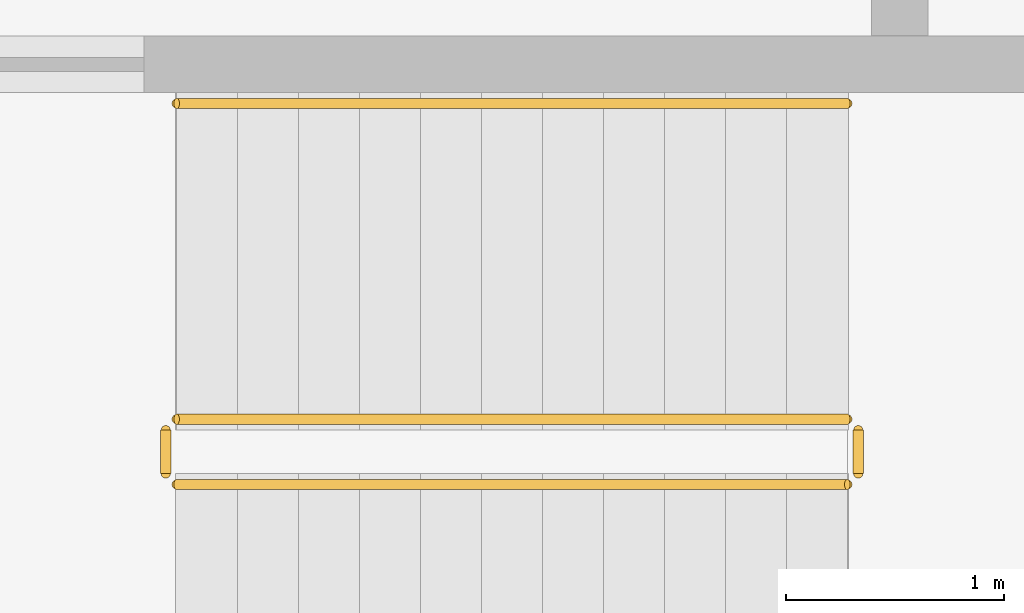
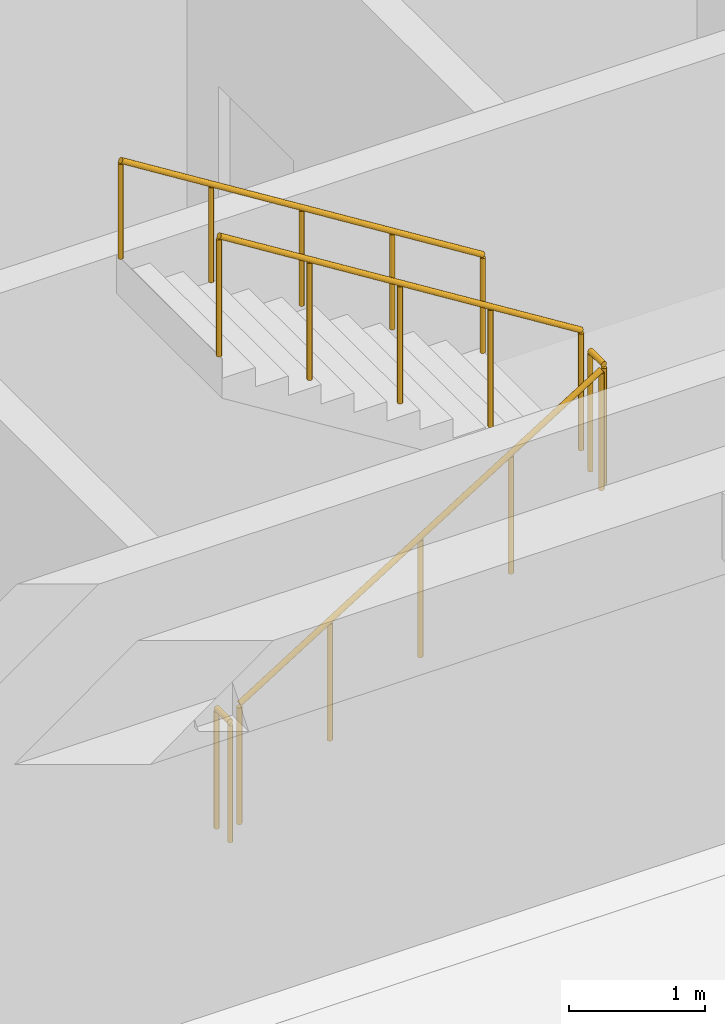
# One storey, part 35 of 41: 5 railings.
"""IFC4 building model written with IfcOpenShell, lengths in metres."""

from ifc_helpers import new_model, si_unit, direction, frame, origin, origin_2d, place, context, subcontext, project, spatial, circle, extrude, material, type_object, element, save


model = new_model("IFC4")

# Units and contexts
model_context = context("Model", 3, precision=1e-05, world=origin(), true_north=direction((0.0, 1.0)))
body_context = subcontext(model_context, "Body", "Model", "MODEL_VIEW")
ifc_project = project(units=[si_unit("LENGTHUNIT", "METRE"), si_unit("AREAUNIT", "SQUARE_METRE"), si_unit("VOLUMEUNIT", "CUBIC_METRE"), si_unit("PLANEANGLEUNIT", "RADIAN"), si_unit("MASSUNIT", "GRAM", prefix="KILO")], contexts=[model_context])

# Site, building, storey
site_placement = place(None, origin())
site = spatial("IfcSite", under=ifc_project, at=site_placement, CompositionType="ELEMENT")
building_placement = place(site_placement, origin())
building = spatial("IfcBuilding", under=site, at=building_placement, Name="Fikremerkos Civic Library", CompositionType="ELEMENT")
storey_placement = place(building_placement, frame((0.0, 0.0, -8.39990234375)))
storey = spatial("IfcBuildingStorey", under=building, at=storey_placement, Name="B02", CompositionType="ELEMENT", Elevation=-8.39990234375)

# Railings
ifc_material_1 = material(Name="Painted Steel S275", Category="steel")
railing_type_1 = type_object("IfcRailingType", Name="Interior balustrade guard RLG-INT 1100", PredefinedType="BALUSTRADE", material=ifc_material_1)
railing_1_placement = place(storey_placement, frame((106.449951171875, 24.0, 0.1748046875)))
element("IfcRailing", 1, at=railing_1_placement, inside=storey, type_object=railing_type_1, Name="B02 ST-K2 stair guard 1", PredefinedType="BALUSTRADE", context=body_context, shape_type="SweptSolid", body=[
    extrude(circle(Radius=0.02392578125, at=origin_2d()), frame((0.0, 0.0, 1.076171875), z_axis=(0.847998304005, 0.0, 0.529998940003), x_axis=(0.0, 1.0, 0.0)), (0.0, 0.0, 1.0), 3.632080078125),
    extrude(circle(Radius=0.02099609375, at=origin_2d()), origin(), (0.0, 0.0, 1.0), 1.052001953125),
    extrude(circle(Radius=0.02099609375, at=origin_2d()), frame((0.77001953125, 0.0, 0.481201171875)), (0.0, 0.0, 1.0), 1.052001953125),
    extrude(circle(Radius=0.02099609375, at=origin_2d()), frame((1.5400390625, 0.0, 0.96240234375)), (0.0, 0.0, 1.0), 1.052001953125),
    extrude(circle(Radius=0.02099609375, at=origin_2d()), frame((2.31005859375, 0.0, 1.44384765625)), (0.0, 0.0, 1.0), 1.052001953125),
    extrude(circle(Radius=0.02099609375, at=origin_2d()), frame((3.080078125, 0.0, 1.925048828125)), (0.0, 0.0, 1.0), 1.052001953125),
])
railing_2_placement = place(storey_placement, frame((109.580078125, 24.050048828125, 2.099853515625)))
element("IfcRailing", 2, at=railing_2_placement, inside=storey, type_object=railing_type_1, Name="B02 ST-K2 stair guard 2", PredefinedType="BALUSTRADE", context=body_context, shape_type="SweptSolid", body=[
    extrude(circle(Radius=0.02392578125, at=origin_2d()), frame((0.0, 0.0, 1.076171875), z_axis=(0.0, 1.0, 0.0), x_axis=(-1.0, 0.0, 0.0)), (0.0, 0.0, 1.0), 0.199951171875),
    extrude(circle(Radius=0.02099609375, at=origin_2d()), origin(), (0.0, 0.0, 1.0), 1.052001953125),
    extrude(circle(Radius=0.02099609375, at=origin_2d()), frame((0.0, 0.199951171875, 0.0)), (0.0, 0.0, 1.0), 1.052001953125),
])
railing_3_placement = place(storey_placement, frame((109.530029296875, 24.300048828125, 2.27490234375)))
element("IfcRailing", 3, at=railing_3_placement, inside=storey, type_object=railing_type_1, Name="B02 ST-K2 stair guard 3", PredefinedType="BALUSTRADE", context=body_context, shape_type="SweptSolid", body=[
    extrude(circle(Radius=0.02392578125, at=origin_2d()), frame((0.0, 0.0, 1.076171875), z_axis=(-0.847998304005, 0.0, 0.529998940003), x_axis=(0.0, -1.0, 0.0)), (0.0, 0.0, 1.0), 3.632080078125),
    extrude(circle(Radius=0.02099609375, at=origin_2d()), origin(), (0.0, 0.0, 1.0), 1.052001953125),
    extrude(circle(Radius=0.02099609375, at=origin_2d()), frame((-0.77001953125, 0.0, 0.481201171875)), (0.0, 0.0, 1.0), 1.052001953125),
    extrude(circle(Radius=0.02099609375, at=origin_2d()), frame((-1.5400390625, 0.0, 0.96240234375)), (0.0, 0.0, 1.0), 1.052001953125),
    extrude(circle(Radius=0.02099609375, at=origin_2d()), frame((-2.31005859375, 0.0, 1.44384765625)), (0.0, 0.0, 1.0), 1.052001953125),
    extrude(circle(Radius=0.02099609375, at=origin_2d()), frame((-3.080078125, 0.0, 1.925048828125)), (0.0, 0.0, 1.0), 1.052001953125),
])
railing_4_placement = place(storey_placement, frame((106.39990234375, 24.050048828125, 0.0)))
element("IfcRailing", 4, at=railing_4_placement, inside=storey, type_object=railing_type_1, Name="B02 ST-K2 stair guard 4", PredefinedType="BALUSTRADE", context=body_context, shape_type="SweptSolid", body=[
    extrude(circle(Radius=0.02392578125, at=origin_2d()), frame((0.0, 0.0, 1.076171875), z_axis=(0.0, 1.0, 0.0), x_axis=(-1.0, 0.0, 0.0)), (0.0, 0.0, 1.0), 0.199951171875),
    extrude(circle(Radius=0.02099609375, at=origin_2d()), origin(), (0.0, 0.0, 1.0), 1.052001953125),
    extrude(circle(Radius=0.02099609375, at=origin_2d()), frame((0.0, 0.199951171875, 0.0)), (0.0, 0.0, 1.0), 1.052001953125),
])
ifc_material_2 = material(Name="Brushed stainless steel", Category="steel")
railing_type_2 = type_object("IfcRailingType", Name="Wall and flight handrail HRL-01 900", PredefinedType="HANDRAIL", material=ifc_material_2)
railing_5_placement = place(storey_placement, frame((109.530029296875, 25.75, 2.27490234375)))
element("IfcRailing", 5, at=railing_5_placement, inside=storey, type_object=railing_type_2, Name="B02 ST-K2 stair handrail 2", PredefinedType="HANDRAIL", context=body_context, shape_type="SweptSolid", body=[
    extrude(circle(Radius=0.02392578125, at=origin_2d()), frame((0.0, 0.0, 0.8759765625), z_axis=(-0.847998304005, 0.0, 0.529998940003), x_axis=(0.0, -1.0, 0.0)), (0.0, 0.0, 1.0), 3.632080078125),
    extrude(circle(Radius=0.02099609375, at=origin_2d()), origin(), (0.0, 0.0, 1.0), 0.851806640625),
    extrude(circle(Radius=0.02099609375, at=origin_2d()), frame((-0.77001953125, 0.0, 0.481201171875)), (0.0, 0.0, 1.0), 0.851806640625),
    extrude(circle(Radius=0.02099609375, at=origin_2d()), frame((-1.5400390625, 0.0, 0.96240234375)), (0.0, 0.0, 1.0), 0.851806640625),
    extrude(circle(Radius=0.02099609375, at=origin_2d()), frame((-2.31005859375, 0.0, 1.44384765625)), (0.0, 0.0, 1.0), 0.851806640625),
    extrude(circle(Radius=0.02099609375, at=origin_2d()), frame((-3.080078125, 0.0, 1.925048828125)), (0.0, 0.0, 1.0), 0.851806640625),
])

save(model, "model.ifc")
